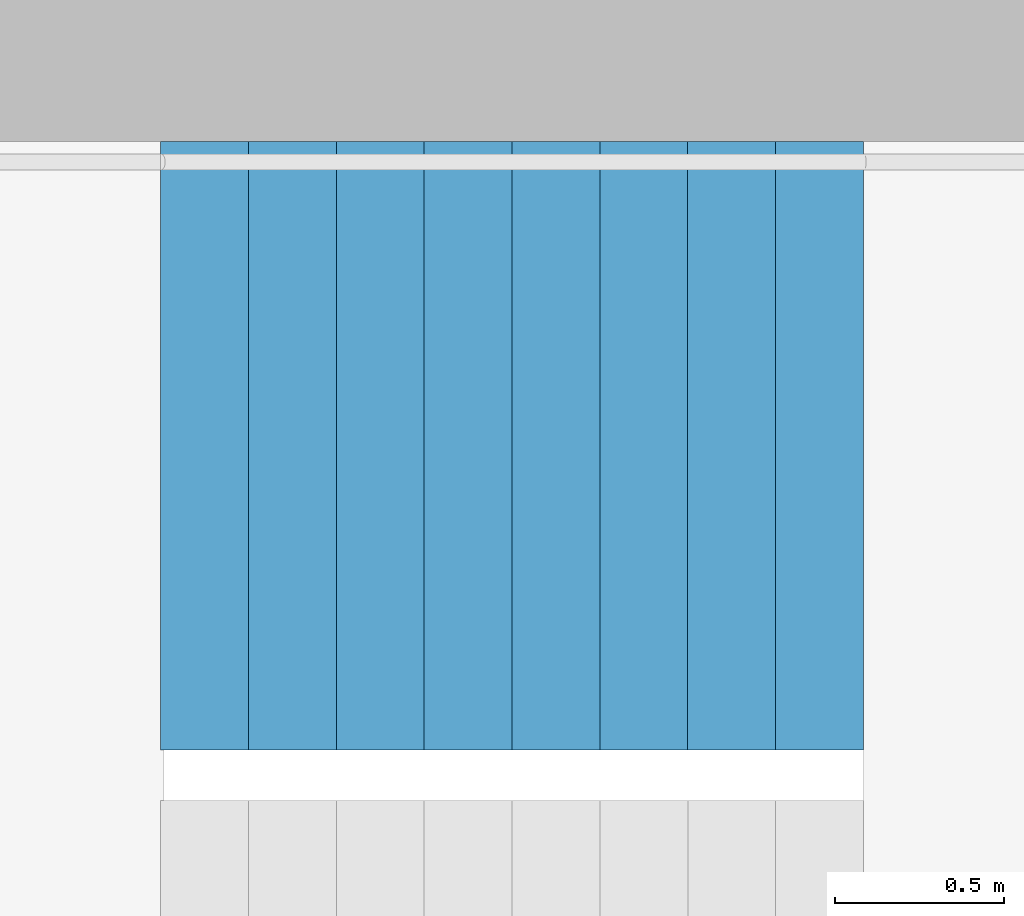
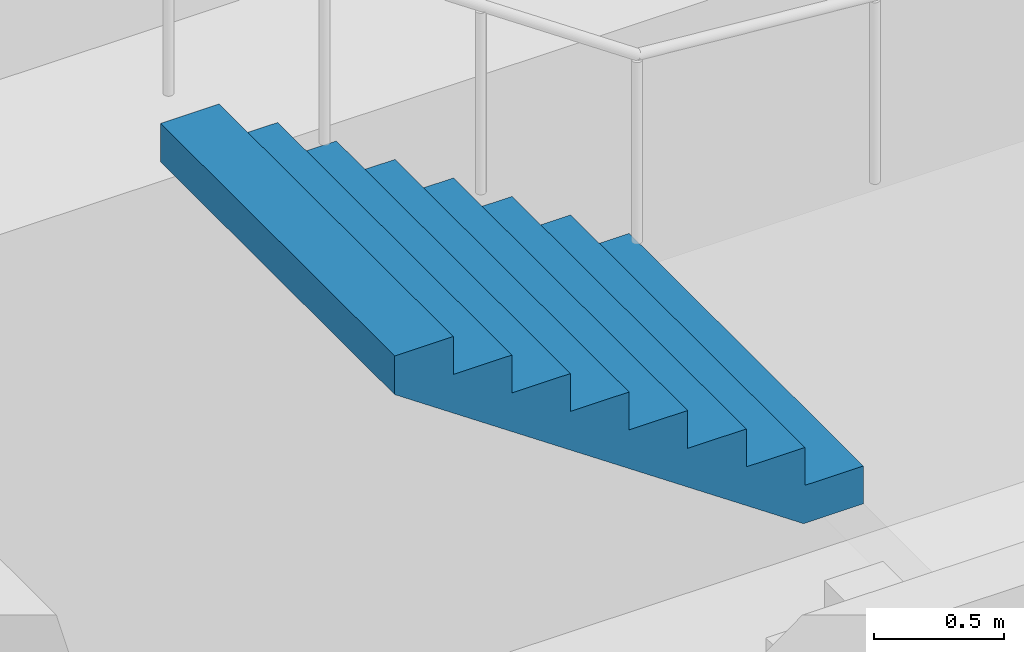
# One storey, part 22 of 27: 1 stair flight, 1 element without a shape of its own.
"""IFC4 building model written with IfcOpenShell, lengths in metres."""

from ifc_helpers import new_model, si_unit, direction, frame, origin, place, context, subcontext, project, spatial, triangles, material, type_object, element, aggregate, save


model = new_model("IFC4")

# Units and contexts
model_context = context("Model", 3, precision=1e-05, world=origin(), true_north=direction((0.0, 1.0)))
body_context = subcontext(model_context, "Body", "Model", "MODEL_VIEW")
ifc_project = project(units=[si_unit("LENGTHUNIT", "METRE"), si_unit("AREAUNIT", "SQUARE_METRE"), si_unit("VOLUMEUNIT", "CUBIC_METRE"), si_unit("PLANEANGLEUNIT", "RADIAN"), si_unit("MASSUNIT", "GRAM", prefix="KILO")], contexts=[model_context])

# Site, building, storey
site_placement = place(None, origin())
site = spatial("IfcSite", under=ifc_project, at=site_placement, CompositionType="ELEMENT")
building_placement = place(site_placement, origin())
building = spatial("IfcBuilding", under=site, at=building_placement, Name="Hakoniwa Tower and Hamabe Station Hall", CompositionType="ELEMENT")
storey_placement = place(building_placement, frame((0.0, 0.0, 255.0)))
storey = spatial("IfcBuildingStorey", under=building, at=storey_placement, Name="L72", CompositionType="ELEMENT", Elevation=255.0)

# Stair, stair flight
ifc_material_1 = material(Name="Concrete C40", Category="concrete")
stair_type = type_object("IfcStairType", Name="ESCAPE STAIR 1800", PredefinedType="HALF_TURN_STAIR", material=ifc_material_1)
stair_placement = place(storey_placement, origin())
stair = element("IfcStair", 1, at=stair_placement, inside=storey, type_object=stair_type, Name="Escape stair ST-1 L72", PredefinedType="HALF_TURN_STAIR")
ifc_material_2 = material(Name="Concrete C40", Category="concrete")
stair_flight_type = type_object("IfcStairFlightType", Name="STAIR FLIGHT 1800", PredefinedType="STRAIGHT", material=ifc_material_2)
stair_flight_placement = place(storey_placement, frame((-22.320068359375, 6.60009765625, 1.60009765625), z_axis=(0.0, 0.0, 1.0), x_axis=(-1.0, 0.0, 0.0)))
stair_flight = element("IfcStairFlight", 2, at=stair_flight_placement, type_object=stair_flight_type, Name="ST-1 flight 2", NumberOfRisers=9, NumberOfTreads=8, PredefinedType="STRAIGHT", RiserHeight=0.177777778, TreadLength=0.26, context=body_context, shape_type="Tessellation", body=[
    triangles([(0.0, 0.89990234375, 0.0), (0.260009765625, 0.89990234375, 0.0), (0.265625, 0.89990234375, 0.0), (0.52001953125, 0.89990234375, 0.174072265625), (0.780029296875, 0.89990234375, 0.351806640625), (1.0400390625, 0.89990234375, 0.529541015625), (1.300048828125, 0.89990234375, 0.707275390625), (1.56005859375, 0.89990234375, 0.885009765625), (1.820068359375, 0.89990234375, 1.062744140625), (2.080078125, 0.89990234375, 1.24072265625), (2.080078125, 0.89990234375, 1.422119140625), (1.820068359375, 0.89990234375, 1.422119140625), (1.820068359375, 0.89990234375, 1.244384765625), (1.56005859375, 0.89990234375, 1.244384765625), (1.56005859375, 0.89990234375, 1.066650390625), (1.300048828125, 0.89990234375, 1.066650390625), (1.300048828125, 0.89990234375, 0.888916015625), (1.0400390625, 0.89990234375, 0.888916015625), (1.0400390625, 0.89990234375, 0.711181640625), (0.780029296875, 0.89990234375, 0.711181640625), (0.780029296875, 0.89990234375, 0.533447265625), (0.52001953125, 0.89990234375, 0.533447265625), (0.52001953125, 0.89990234375, 0.35546875), (0.265625, 0.89990234375, 0.35546875), (0.260009765625, 0.89990234375, 0.35546875), (0.260009765625, 0.89990234375, 0.177734375), (0.0, 0.89990234375, 0.177734375), (0.0, 0.06005859375, 0.0), (0.260009765625, 0.06005859375, 0.0), (0.265625, 0.06005859375, 0.0), (0.52001953125, 0.06005859375, 0.174072265625), (0.780029296875, 0.06005859375, 0.351806640625), (1.0400390625, 0.06005859375, 0.529541015625), (1.300048828125, 0.06005859375, 0.707275390625), (1.56005859375, 0.06005859375, 0.885009765625), (1.820068359375, 0.06005859375, 1.062744140625), (2.080078125, 0.06005859375, 1.24072265625), (2.080078125, 0.06005859375, 1.422119140625), (1.820068359375, 0.06005859375, 1.422119140625), (1.820068359375, 0.06005859375, 1.244384765625), (1.56005859375, 0.06005859375, 1.244384765625), (1.56005859375, 0.06005859375, 1.066650390625), (1.300048828125, 0.06005859375, 1.066650390625), (1.300048828125, 0.06005859375, 0.888916015625), (1.0400390625, 0.06005859375, 0.888916015625), (1.0400390625, 0.06005859375, 0.711181640625), (0.780029296875, 0.06005859375, 0.711181640625), (0.780029296875, 0.06005859375, 0.533447265625), (0.52001953125, 0.06005859375, 0.533447265625), (0.52001953125, 0.06005859375, 0.35546875), (0.265625, 0.06005859375, 0.35546875), (0.260009765625, 0.06005859375, 0.35546875), (0.260009765625, 0.06005859375, 0.177734375), (0.0, 0.06005859375, 0.177734375), (0.0, 0.04296875, 0.0), (0.260009765625, 0.04296875, 0.0), (0.265625, 0.04296875, 0.0), (0.52001953125, 0.04296875, 0.174072265625), (0.780029296875, 0.04296875, 0.351806640625), (1.0400390625, 0.04296875, 0.529541015625), (1.300048828125, 0.04296875, 0.707275390625), (1.56005859375, 0.04296875, 0.885009765625), (1.820068359375, 0.04296875, 1.062744140625), (2.080078125, 0.04296875, 1.24072265625), (2.080078125, 0.04296875, 1.422119140625), (1.820068359375, 0.04296875, 1.422119140625), (1.820068359375, 0.04296875, 1.244384765625), (1.56005859375, 0.04296875, 1.244384765625), (1.56005859375, 0.04296875, 1.066650390625), (1.300048828125, 0.04296875, 1.066650390625), (1.300048828125, 0.04296875, 0.888916015625), (1.0400390625, 0.04296875, 0.888916015625), (1.0400390625, 0.04296875, 0.711181640625), (0.780029296875, 0.04296875, 0.711181640625), (0.780029296875, 0.04296875, 0.533447265625), (0.52001953125, 0.04296875, 0.533447265625), (0.52001953125, 0.04296875, 0.35546875), (0.265625, 0.04296875, 0.35546875), (0.260009765625, 0.04296875, 0.35546875), (0.260009765625, 0.04296875, 0.177734375), (0.0, 0.04296875, 0.177734375), (0.0, 0.025634765625, 0.0), (0.260009765625, 0.025634765625, 0.0), (0.265625, 0.025634765625, 0.0), (0.52001953125, 0.025634765625, 0.174072265625), (0.780029296875, 0.025634765625, 0.351806640625), (1.0400390625, 0.025634765625, 0.529541015625), (1.300048828125, 0.025634765625, 0.707275390625), (1.56005859375, 0.025634765625, 0.885009765625), (1.820068359375, 0.025634765625, 1.062744140625), (2.080078125, 0.025634765625, 1.24072265625), (2.080078125, 0.025634765625, 1.422119140625), (1.820068359375, 0.025634765625, 1.422119140625), (1.820068359375, 0.025634765625, 1.244384765625), (1.56005859375, 0.025634765625, 1.244384765625), (1.56005859375, 0.025634765625, 1.066650390625), (1.300048828125, 0.025634765625, 1.066650390625), (1.300048828125, 0.025634765625, 0.888916015625), (1.0400390625, 0.025634765625, 0.888916015625), (1.0400390625, 0.025634765625, 0.711181640625), (0.780029296875, 0.025634765625, 0.711181640625), (0.780029296875, 0.025634765625, 0.533447265625), (0.52001953125, 0.025634765625, 0.533447265625), (0.52001953125, 0.025634765625, 0.35546875), (0.265625, 0.025634765625, 0.35546875), (0.260009765625, 0.025634765625, 0.35546875), (0.260009765625, 0.025634765625, 0.177734375), (0.0, 0.025634765625, 0.177734375), (0.0, 0.008544921875, 0.0), (0.260009765625, 0.008544921875, 0.0), (0.265625, 0.008544921875, 0.0), (0.52001953125, 0.008544921875, 0.174072265625), (0.780029296875, 0.008544921875, 0.351806640625), (1.0400390625, 0.008544921875, 0.529541015625), (1.300048828125, 0.008544921875, 0.707275390625), (1.56005859375, 0.008544921875, 0.885009765625), (1.820068359375, 0.008544921875, 1.062744140625), (2.080078125, 0.008544921875, 1.24072265625), (2.080078125, 0.008544921875, 1.422119140625), (1.820068359375, 0.008544921875, 1.422119140625), (1.820068359375, 0.008544921875, 1.244384765625), (1.56005859375, 0.008544921875, 1.244384765625), (1.56005859375, 0.008544921875, 1.066650390625), (1.300048828125, 0.008544921875, 1.066650390625), (1.300048828125, 0.008544921875, 0.888916015625), (1.0400390625, 0.008544921875, 0.888916015625), (1.0400390625, 0.008544921875, 0.711181640625), (0.780029296875, 0.008544921875, 0.711181640625), (0.780029296875, 0.008544921875, 0.533447265625), (0.52001953125, 0.008544921875, 0.533447265625), (0.52001953125, 0.008544921875, 0.35546875), (0.265625, 0.008544921875, 0.35546875), (0.260009765625, 0.008544921875, 0.35546875), (0.260009765625, 0.008544921875, 0.177734375), (0.0, 0.008544921875, 0.177734375), (0.0, -0.008544921875, 0.0), (0.260009765625, -0.008544921875, 0.0), (0.265625, -0.008544921875, 0.0), (0.52001953125, -0.008544921875, 0.174072265625), (0.780029296875, -0.008544921875, 0.351806640625), (1.0400390625, -0.008544921875, 0.529541015625), (1.300048828125, -0.008544921875, 0.707275390625), (1.56005859375, -0.008544921875, 0.885009765625), (1.820068359375, -0.008544921875, 1.062744140625), (2.080078125, -0.008544921875, 1.24072265625), (2.080078125, -0.008544921875, 1.422119140625), (1.820068359375, -0.008544921875, 1.422119140625), (1.820068359375, -0.008544921875, 1.244384765625), (1.56005859375, -0.008544921875, 1.244384765625), (1.56005859375, -0.008544921875, 1.066650390625), (1.300048828125, -0.008544921875, 1.066650390625), (1.300048828125, -0.008544921875, 0.888916015625), (1.0400390625, -0.008544921875, 0.888916015625), (1.0400390625, -0.008544921875, 0.711181640625), (0.780029296875, -0.008544921875, 0.711181640625), (0.780029296875, -0.008544921875, 0.533447265625), (0.52001953125, -0.008544921875, 0.533447265625), (0.52001953125, -0.008544921875, 0.35546875), (0.265625, -0.008544921875, 0.35546875), (0.260009765625, -0.008544921875, 0.35546875), (0.260009765625, -0.008544921875, 0.177734375), (0.0, -0.008544921875, 0.177734375), (0.0, -0.025634765625, 0.0), (0.260009765625, -0.025634765625, 0.0), (0.265625, -0.025634765625, 0.0), (0.52001953125, -0.025634765625, 0.174072265625), (0.780029296875, -0.025634765625, 0.351806640625), (1.0400390625, -0.025634765625, 0.529541015625), (1.300048828125, -0.025634765625, 0.707275390625), (1.56005859375, -0.025634765625, 0.885009765625), (1.820068359375, -0.025634765625, 1.062744140625), (2.080078125, -0.025634765625, 1.24072265625), (2.080078125, -0.025634765625, 1.422119140625), (1.820068359375, -0.025634765625, 1.422119140625), (1.820068359375, -0.025634765625, 1.244384765625), (1.56005859375, -0.025634765625, 1.244384765625), (1.56005859375, -0.025634765625, 1.066650390625), (1.300048828125, -0.025634765625, 1.066650390625), (1.300048828125, -0.025634765625, 0.888916015625), (1.0400390625, -0.025634765625, 0.888916015625), (1.0400390625, -0.025634765625, 0.711181640625), (0.780029296875, -0.025634765625, 0.711181640625), (0.780029296875, -0.025634765625, 0.533447265625), (0.52001953125, -0.025634765625, 0.533447265625), (0.52001953125, -0.025634765625, 0.35546875), (0.265625, -0.025634765625, 0.35546875), (0.260009765625, -0.025634765625, 0.35546875), (0.260009765625, -0.025634765625, 0.177734375), (0.0, -0.025634765625, 0.177734375), (0.0, -0.04296875, 0.0), (0.260009765625, -0.04296875, 0.0), (0.265625, -0.04296875, 0.0), (0.52001953125, -0.04296875, 0.174072265625), (0.780029296875, -0.04296875, 0.351806640625), (1.0400390625, -0.04296875, 0.529541015625), (1.300048828125, -0.04296875, 0.707275390625), (1.56005859375, -0.04296875, 0.885009765625), (1.820068359375, -0.04296875, 1.062744140625), (2.080078125, -0.04296875, 1.24072265625), (2.080078125, -0.04296875, 1.422119140625), (1.820068359375, -0.04296875, 1.422119140625), (1.820068359375, -0.04296875, 1.244384765625), (1.56005859375, -0.04296875, 1.244384765625), (1.56005859375, -0.04296875, 1.066650390625), (1.300048828125, -0.04296875, 1.066650390625), (1.300048828125, -0.04296875, 0.888916015625), (1.0400390625, -0.04296875, 0.888916015625), (1.0400390625, -0.04296875, 0.711181640625), (0.780029296875, -0.04296875, 0.711181640625), (0.780029296875, -0.04296875, 0.533447265625), (0.52001953125, -0.04296875, 0.533447265625), (0.52001953125, -0.04296875, 0.35546875), (0.265625, -0.04296875, 0.35546875), (0.260009765625, -0.04296875, 0.35546875), (0.260009765625, -0.04296875, 0.177734375), (0.0, -0.04296875, 0.177734375), (0.0, -0.06005859375, 0.0), (0.260009765625, -0.06005859375, 0.0), (0.265625, -0.06005859375, 0.0), (0.52001953125, -0.06005859375, 0.174072265625), (0.780029296875, -0.06005859375, 0.351806640625), (1.0400390625, -0.06005859375, 0.529541015625), (1.300048828125, -0.06005859375, 0.707275390625), (1.56005859375, -0.06005859375, 0.885009765625), (1.820068359375, -0.06005859375, 1.062744140625), (2.080078125, -0.06005859375, 1.24072265625), (2.080078125, -0.06005859375, 1.422119140625), (1.820068359375, -0.06005859375, 1.422119140625), (1.820068359375, -0.06005859375, 1.244384765625), (1.56005859375, -0.06005859375, 1.244384765625), (1.56005859375, -0.06005859375, 1.066650390625), (1.300048828125, -0.06005859375, 1.066650390625), (1.300048828125, -0.06005859375, 0.888916015625), (1.0400390625, -0.06005859375, 0.888916015625), (1.0400390625, -0.06005859375, 0.711181640625), (0.780029296875, -0.06005859375, 0.711181640625), (0.780029296875, -0.06005859375, 0.533447265625), (0.52001953125, -0.06005859375, 0.533447265625), (0.52001953125, -0.06005859375, 0.35546875), (0.265625, -0.06005859375, 0.35546875), (0.260009765625, -0.06005859375, 0.35546875), (0.260009765625, -0.06005859375, 0.177734375), (0.0, -0.06005859375, 0.177734375), (0.0, -0.89990234375, 0.0), (0.260009765625, -0.89990234375, 0.0), (0.265625, -0.89990234375, 0.0), (0.52001953125, -0.89990234375, 0.174072265625), (0.780029296875, -0.89990234375, 0.351806640625), (1.0400390625, -0.89990234375, 0.529541015625), (1.300048828125, -0.89990234375, 0.707275390625), (1.56005859375, -0.89990234375, 0.885009765625), (1.820068359375, -0.89990234375, 1.062744140625), (2.080078125, -0.89990234375, 1.24072265625), (2.080078125, -0.89990234375, 1.422119140625), (1.820068359375, -0.89990234375, 1.422119140625), (1.820068359375, -0.89990234375, 1.244384765625), (1.56005859375, -0.89990234375, 1.244384765625), (1.56005859375, -0.89990234375, 1.066650390625), (1.300048828125, -0.89990234375, 1.066650390625), (1.300048828125, -0.89990234375, 0.888916015625), (1.0400390625, -0.89990234375, 0.888916015625), (1.0400390625, -0.89990234375, 0.711181640625), (0.780029296875, -0.89990234375, 0.711181640625), (0.780029296875, -0.89990234375, 0.533447265625), (0.52001953125, -0.89990234375, 0.533447265625), (0.52001953125, -0.89990234375, 0.35546875), (0.265625, -0.89990234375, 0.35546875), (0.260009765625, -0.89990234375, 0.35546875), (0.260009765625, -0.89990234375, 0.177734375), (0.0, -0.89990234375, 0.177734375)], [[2, 27, 26], [245, 269, 270], [2, 1, 27], [245, 270, 244], [3, 25, 24], [246, 267, 268], [3, 26, 25], [246, 268, 269], [3, 2, 26], [246, 269, 245], [4, 24, 23], [247, 266, 267], [4, 3, 24], [247, 267, 246], [5, 22, 21], [248, 264, 265], [5, 23, 22], [248, 265, 266], [5, 4, 23], [248, 266, 247], [6, 20, 19], [249, 262, 263], [6, 21, 20], [249, 263, 264], [6, 5, 21], [249, 264, 248], [7, 18, 17], [250, 260, 261], [7, 19, 18], [250, 261, 262], [7, 6, 19], [250, 262, 249], [8, 16, 15], [251, 258, 259], [8, 17, 16], [251, 259, 260], [8, 7, 17], [251, 260, 250], [9, 14, 13], [252, 256, 257], [9, 15, 14], [252, 257, 258], [9, 8, 15], [252, 258, 251], [10, 12, 11], [253, 254, 255], [10, 13, 12], [253, 255, 256], [10, 9, 13], [253, 256, 252], [1, 2, 29], [1, 29, 28], [28, 29, 56], [28, 56, 55], [55, 56, 83], [55, 83, 82], [82, 83, 110], [82, 110, 109], [109, 110, 137], [109, 137, 136], [136, 137, 164], [136, 164, 163], [163, 164, 191], [163, 191, 190], [190, 191, 218], [190, 218, 217], [217, 218, 245], [217, 245, 244], [2, 3, 30], [2, 30, 29], [29, 30, 57], [29, 57, 56], [56, 57, 84], [56, 84, 83], [83, 84, 111], [83, 111, 110], [110, 111, 138], [110, 138, 137], [137, 138, 165], [137, 165, 164], [164, 165, 192], [164, 192, 191], [191, 192, 219], [191, 219, 218], [218, 219, 246], [218, 246, 245], [3, 4, 31], [3, 31, 30], [30, 31, 58], [30, 58, 57], [57, 58, 85], [57, 85, 84], [84, 85, 112], [84, 112, 111], [111, 112, 139], [111, 139, 138], [138, 139, 166], [138, 166, 165], [165, 166, 193], [165, 193, 192], [192, 193, 220], [192, 220, 219], [219, 220, 247], [219, 247, 246], [4, 5, 32], [4, 32, 31], [31, 32, 59], [31, 59, 58], [58, 59, 86], [58, 86, 85], [85, 86, 113], [85, 113, 112], [112, 113, 140], [112, 140, 139], [139, 140, 167], [139, 167, 166], [166, 167, 194], [166, 194, 193], [193, 194, 221], [193, 221, 220], [220, 221, 248], [220, 248, 247], [5, 6, 33], [5, 33, 32], [32, 33, 60], [32, 60, 59], [59, 60, 87], [59, 87, 86], [86, 87, 114], [86, 114, 113], [113, 114, 141], [113, 141, 140], [140, 141, 168], [140, 168, 167], [167, 168, 195], [167, 195, 194], [194, 195, 222], [194, 222, 221], [221, 222, 249], [221, 249, 248], [6, 7, 34], [6, 34, 33], [33, 34, 61], [33, 61, 60], [60, 61, 88], [60, 88, 87], [87, 88, 115], [87, 115, 114], [114, 115, 142], [114, 142, 141], [141, 142, 169], [141, 169, 168], [168, 169, 196], [168, 196, 195], [195, 196, 223], [195, 223, 222], [222, 223, 250], [222, 250, 249], [7, 8, 35], [7, 35, 34], [34, 35, 62], [34, 62, 61], [61, 62, 89], [61, 89, 88], [88, 89, 116], [88, 116, 115], [115, 116, 143], [115, 143, 142], [142, 143, 170], [142, 170, 169], [169, 170, 197], [169, 197, 196], [196, 197, 224], [196, 224, 223], [223, 224, 251], [223, 251, 250], [8, 9, 36], [8, 36, 35], [35, 36, 63], [35, 63, 62], [62, 63, 90], [62, 90, 89], [89, 90, 117], [89, 117, 116], [116, 117, 144], [116, 144, 143], [143, 144, 171], [143, 171, 170], [170, 171, 198], [170, 198, 197], [197, 198, 225], [197, 225, 224], [224, 225, 252], [224, 252, 251], [9, 10, 37], [9, 37, 36], [36, 37, 64], [36, 64, 63], [63, 64, 91], [63, 91, 90], [90, 91, 118], [90, 118, 117], [117, 118, 145], [117, 145, 144], [144, 145, 172], [144, 172, 171], [171, 172, 199], [171, 199, 198], [198, 199, 226], [198, 226, 225], [225, 226, 253], [225, 253, 252], [10, 11, 38], [10, 38, 37], [37, 38, 65], [37, 65, 64], [64, 65, 92], [64, 92, 91], [91, 92, 119], [91, 119, 118], [118, 119, 146], [118, 146, 145], [145, 146, 173], [145, 173, 172], [172, 173, 200], [172, 200, 199], [199, 200, 227], [199, 227, 226], [226, 227, 254], [226, 254, 253], [11, 12, 39], [11, 39, 38], [38, 39, 66], [38, 66, 65], [65, 66, 93], [65, 93, 92], [92, 93, 120], [92, 120, 119], [119, 120, 147], [119, 147, 146], [146, 147, 174], [146, 174, 173], [173, 174, 201], [173, 201, 200], [200, 201, 228], [200, 228, 227], [227, 228, 255], [227, 255, 254], [12, 13, 40], [12, 40, 39], [39, 40, 67], [39, 67, 66], [66, 67, 94], [66, 94, 93], [93, 94, 121], [93, 121, 120], [120, 121, 148], [120, 148, 147], [147, 148, 175], [147, 175, 174], [174, 175, 202], [174, 202, 201], [201, 202, 229], [201, 229, 228], [228, 229, 256], [228, 256, 255], [13, 14, 41], [13, 41, 40], [40, 41, 68], [40, 68, 67], [67, 68, 95], [67, 95, 94], [94, 95, 122], [94, 122, 121], [121, 122, 149], [121, 149, 148], [148, 149, 176], [148, 176, 175], [175, 176, 203], [175, 203, 202], [202, 203, 230], [202, 230, 229], [229, 230, 257], [229, 257, 256], [14, 15, 42], [14, 42, 41], [41, 42, 69], [41, 69, 68], [68, 69, 96], [68, 96, 95], [95, 96, 123], [95, 123, 122], [122, 123, 150], [122, 150, 149], [149, 150, 177], [149, 177, 176], [176, 177, 204], [176, 204, 203], [203, 204, 231], [203, 231, 230], [230, 231, 258], [230, 258, 257], [15, 16, 43], [15, 43, 42], [42, 43, 70], [42, 70, 69], [69, 70, 97], [69, 97, 96], [96, 97, 124], [96, 124, 123], [123, 124, 151], [123, 151, 150], [150, 151, 178], [150, 178, 177], [177, 178, 205], [177, 205, 204], [204, 205, 232], [204, 232, 231], [231, 232, 259], [231, 259, 258], [16, 17, 44], [16, 44, 43], [43, 44, 71], [43, 71, 70], [70, 71, 98], [70, 98, 97], [97, 98, 125], [97, 125, 124], [124, 125, 152], [124, 152, 151], [151, 152, 179], [151, 179, 178], [178, 179, 206], [178, 206, 205], [205, 206, 233], [205, 233, 232], [232, 233, 260], [232, 260, 259], [17, 18, 45], [17, 45, 44], [44, 45, 72], [44, 72, 71], [71, 72, 99], [71, 99, 98], [98, 99, 126], [98, 126, 125], [125, 126, 153], [125, 153, 152], [152, 153, 180], [152, 180, 179], [179, 180, 207], [179, 207, 206], [206, 207, 234], [206, 234, 233], [233, 234, 261], [233, 261, 260], [18, 19, 46], [18, 46, 45], [45, 46, 73], [45, 73, 72], [72, 73, 100], [72, 100, 99], [99, 100, 127], [99, 127, 126], [126, 127, 154], [126, 154, 153], [153, 154, 181], [153, 181, 180], [180, 181, 208], [180, 208, 207], [207, 208, 235], [207, 235, 234], [234, 235, 262], [234, 262, 261], [19, 20, 47], [19, 47, 46], [46, 47, 74], [46, 74, 73], [73, 74, 101], [73, 101, 100], [100, 101, 128], [100, 128, 127], [127, 128, 155], [127, 155, 154], [154, 155, 182], [154, 182, 181], [181, 182, 209], [181, 209, 208], [208, 209, 236], [208, 236, 235], [235, 236, 263], [235, 263, 262], [20, 21, 48], [20, 48, 47], [47, 48, 75], [47, 75, 74], [74, 75, 102], [74, 102, 101], [101, 102, 129], [101, 129, 128], [128, 129, 156], [128, 156, 155], [155, 156, 183], [155, 183, 182], [182, 183, 210], [182, 210, 209], [209, 210, 237], [209, 237, 236], [236, 237, 264], [236, 264, 263], [21, 22, 49], [21, 49, 48], [48, 49, 76], [48, 76, 75], [75, 76, 103], [75, 103, 102], [102, 103, 130], [102, 130, 129], [129, 130, 157], [129, 157, 156], [156, 157, 184], [156, 184, 183], [183, 184, 211], [183, 211, 210], [210, 211, 238], [210, 238, 237], [237, 238, 265], [237, 265, 264], [22, 23, 50], [22, 50, 49], [49, 50, 77], [49, 77, 76], [76, 77, 104], [76, 104, 103], [103, 104, 131], [103, 131, 130], [130, 131, 158], [130, 158, 157], [157, 158, 185], [157, 185, 184], [184, 185, 212], [184, 212, 211], [211, 212, 239], [211, 239, 238], [238, 239, 266], [238, 266, 265], [23, 24, 51], [23, 51, 50], [50, 51, 78], [50, 78, 77], [77, 78, 105], [77, 105, 104], [104, 105, 132], [104, 132, 131], [131, 132, 159], [131, 159, 158], [158, 159, 186], [158, 186, 185], [185, 186, 213], [185, 213, 212], [212, 213, 240], [212, 240, 239], [239, 240, 267], [239, 267, 266], [24, 25, 52], [24, 52, 51], [51, 52, 79], [51, 79, 78], [78, 79, 106], [78, 106, 105], [105, 106, 133], [105, 133, 132], [132, 133, 160], [132, 160, 159], [159, 160, 187], [159, 187, 186], [186, 187, 214], [186, 214, 213], [213, 214, 241], [213, 241, 240], [240, 241, 268], [240, 268, 267], [25, 26, 53], [25, 53, 52], [52, 53, 80], [52, 80, 79], [79, 80, 107], [79, 107, 106], [106, 107, 134], [106, 134, 133], [133, 134, 161], [133, 161, 160], [160, 161, 188], [160, 188, 187], [187, 188, 215], [187, 215, 214], [214, 215, 242], [214, 242, 241], [241, 242, 269], [241, 269, 268], [26, 27, 54], [26, 54, 53], [53, 54, 81], [53, 81, 80], [80, 81, 108], [80, 108, 107], [107, 108, 135], [107, 135, 134], [134, 135, 162], [134, 162, 161], [161, 162, 189], [161, 189, 188], [188, 189, 216], [188, 216, 215], [215, 216, 243], [215, 243, 242], [242, 243, 270], [242, 270, 269], [27, 1, 28], [27, 28, 54], [54, 28, 55], [54, 55, 81], [81, 55, 82], [81, 82, 108], [108, 82, 109], [108, 109, 135], [135, 109, 136], [135, 136, 162], [162, 136, 163], [162, 163, 189], [189, 163, 190], [189, 190, 216], [216, 190, 217], [216, 217, 243], [243, 217, 244], [243, 244, 270]], closed=True),
])
aggregate(stair, [stair_flight])

save(model, "model.ifc")
